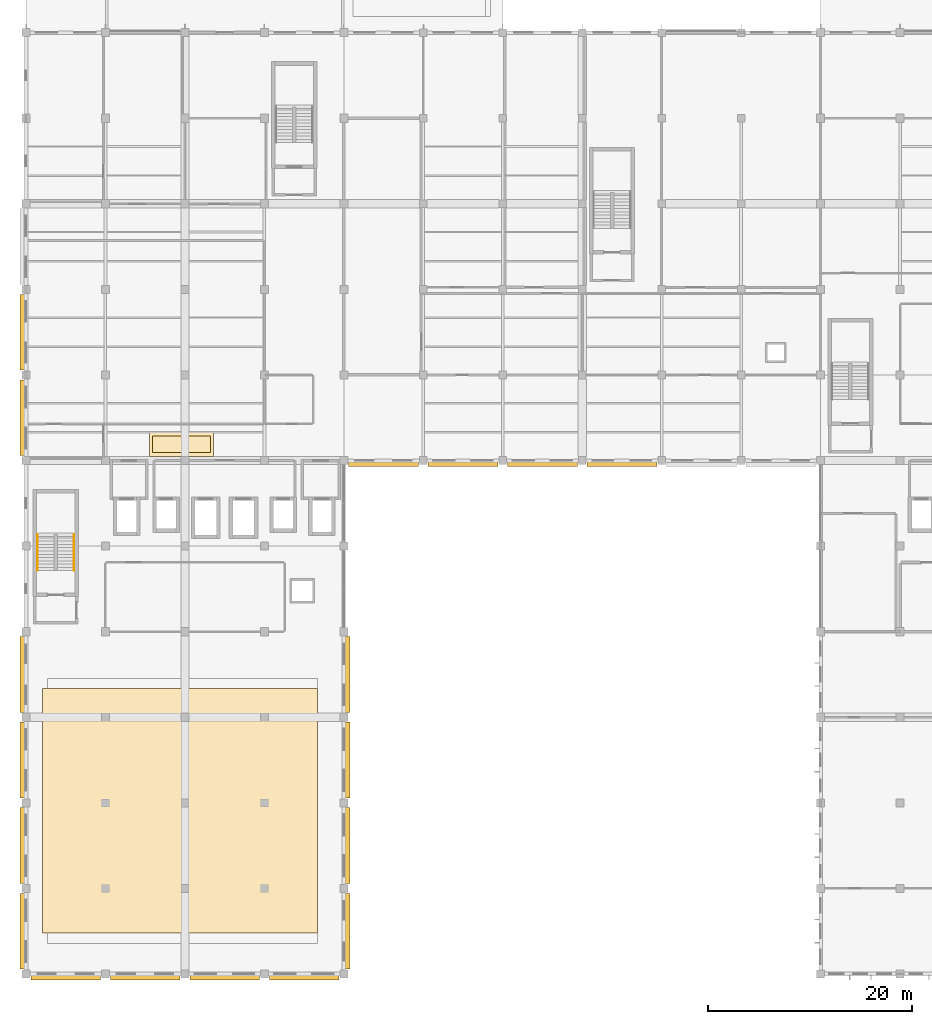
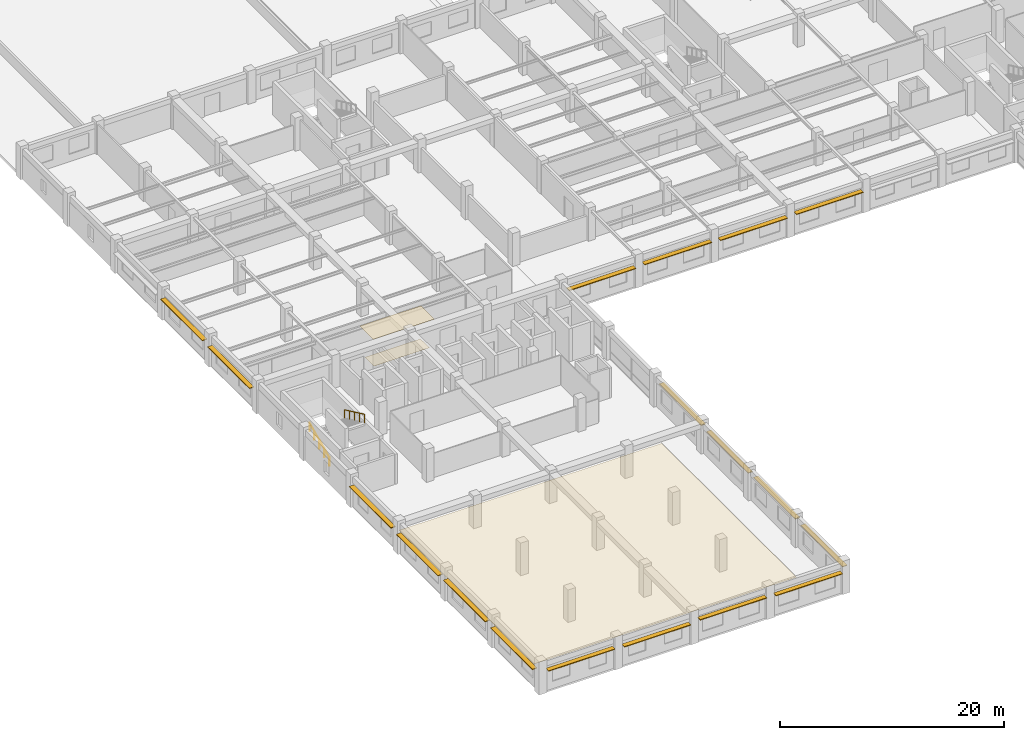
# One storey, part 48 of 50: 18 shading devices, 3 coverings, 2 railings.
"""IFC4 building model written with IfcOpenShell, lengths in metres."""

import ifcopenshell
import ifcopenshell.guid

model = None  # the IFC model being written
_history = None  # IfcOwnerHistory: only IFC2X3 demands one
_inside = {}  # id of a spatial element -> (the spatial element, [elements in it])
_under = {}  # id of a project, library or spatial element -> (it, [spatial elements below it])
_declared = {}  # id of a project -> (the project, [libraries it declares])
_typed = {}  # id of a type object -> (the type object, [elements of that type])
_made_of = {}  # id of a material, layer set ... -> (it, [elements and type objects made of it])


def new_model(schema):
    """Start an empty IFC model of exactly this schema.

    Asked for "IFC4X3", IfcOpenShell would pick the latest addendum, in which some entities
    have other attributes; the version numbers below select the first issue.
    IFC2X3 requires an IfcOwnerHistory on every rooted entity: one is made here for all.
    """
    global model, _history
    if schema == "IFC4X3":
        model = ifcopenshell.file(schema_version=(4, 3, 0, 0))
    else:
        model = ifcopenshell.file(schema=schema)
    _inside.clear()
    _under.clear()
    _declared.clear()
    _typed.clear()
    _made_of.clear()
    _history = None
    if model.schema == "IFC2X3":
        org = make("IfcOrganization", Name="unknown")
        user = make(
            "IfcPersonAndOrganization",
            ThePerson=make("IfcPerson", FamilyName="unknown"),
            TheOrganization=org,
        )
        app = make(
            "IfcApplication",
            ApplicationDeveloper=org,
            Version="unknown",
            ApplicationFullName="unknown",
            ApplicationIdentifier="unknown",
        )
        _history = make(
            "IfcOwnerHistory",
            OwningUser=user,
            OwningApplication=app,
            ChangeAction="ADDED",
            CreationDate=0,
        )
    return model


def make(cls, **values):
    """One entity of the class cls with the attributes given. An attribute that is None is left unset."""
    return model.create_entity(
        cls, **{name: value for name, value in values.items() if value is not None}
    )


def rooted(cls, **values):
    """An entity with a GlobalId (a new one), such as an element, a storey or a relation."""
    return make(cls, GlobalId=ifcopenshell.guid.new(), OwnerHistory=_history, **values)


def si_unit(unit_type, name, prefix=None):
    """IfcSIUnit, for example si_unit("LENGTHUNIT", "METRE", prefix="MILLI")."""
    return make("IfcSIUnit", UnitType=unit_type, Prefix=prefix, Name=name)


def assignment(units):
    """IfcUnitAssignment: the units of a project."""
    return None if units is None else make("IfcUnitAssignment", Units=units)


def point(xyz):
    """IfcCartesianPoint."""
    return None if xyz is None else make("IfcCartesianPoint", Coordinates=xyz)


def direction(xyz):
    """IfcDirection."""
    return None if xyz is None else make("IfcDirection", DirectionRatios=xyz)


def frame(location, z_axis=None, x_axis=None):
    """IfcAxis2Placement3D, a coordinate frame: its origin and axes. An axis left out is left unset."""
    return make(
        "IfcAxis2Placement3D",
        Location=point(location),
        Axis=direction(z_axis),
        RefDirection=direction(x_axis),
    )


def frame_2d(location, x_axis=None):
    """IfcAxis2Placement2D, a coordinate frame in the plane: its origin and x axis."""
    return make(
        "IfcAxis2Placement2D", Location=point(location), RefDirection=direction(x_axis)
    )


def origin():
    """The frame at (0, 0, 0) with its axes left unset."""
    return frame((0.0, 0.0, 0.0))


def origin_2d():
    """The frame at (0, 0) in the plane with its x axis left unset."""
    return frame_2d((0.0, 0.0))


def place(relative_to, where):
    """IfcLocalPlacement: puts the frame where relative to a parent placement (None: the world)."""
    return make(
        "IfcLocalPlacement", PlacementRelTo=relative_to, RelativePlacement=where
    )


def context(
    kind, dimensions, precision=None, world=None, true_north=None, identifier=None
):
    """IfcGeometricRepresentationContext, for example the 3D "Model" context."""
    return make(
        "IfcGeometricRepresentationContext",
        ContextIdentifier=identifier,
        ContextType=kind,
        CoordinateSpaceDimension=dimensions,
        Precision=precision,
        WorldCoordinateSystem=world,
        TrueNorth=true_north,
    )


def subcontext(parent, identifier, kind, view, scale=None):
    """IfcGeometricRepresentationSubContext, for example "Body" below "Model"."""
    return make(
        "IfcGeometricRepresentationSubContext",
        ContextIdentifier=identifier,
        ContextType=kind,
        ParentContext=parent,
        TargetScale=scale,
        TargetView=view,
    )


def project(units=None, contexts=None):
    """IfcProject with its units and contexts."""
    return rooted(
        "IfcProject",
        Name="project",
        RepresentationContexts=contexts,
        UnitsInContext=assignment(units),
    )


def spatial(cls, under=None, at=None, **own):
    """A site, building, storey or space (cls), placed at a placement, below another one or the project."""
    s = rooted(cls, ObjectPlacement=at, **own)
    if under is not None:
        _under.setdefault(under.id(), (under, []))[1].append(s)
    return s


def polyline(points):
    """IfcPolyline through the points."""
    return make("IfcPolyline", Points=[point(p) for p in points])


def profile(cls, at=None, kind="AREA", **sizes):
    """A parametric profile (cls). Its sizes go by their IFC names, for example OverallWidth=200.0."""
    return make(cls, ProfileType=kind, Position=at, **sizes)


def rectangle(**sizes):
    """IfcRectangleProfileDef."""
    return profile("IfcRectangleProfileDef", **sizes)


def circle(**sizes):
    """IfcCircleProfileDef."""
    return profile("IfcCircleProfileDef", **sizes)


def outline(outer, holes=None, kind="AREA"):
    """IfcArbitraryClosedProfileDef: a profile drawn as a closed curve; with holes, ...WithVoids."""
    if holes is None:
        return make("IfcArbitraryClosedProfileDef", ProfileType=kind, OuterCurve=outer)
    return make(
        "IfcArbitraryProfileDefWithVoids",
        ProfileType=kind,
        OuterCurve=outer,
        InnerCurves=holes,
    )


def extrude(swept, where, along, depth):
    """IfcExtrudedAreaSolid: the profile swept, set in the frame where, extruded along a direction by depth."""
    return make(
        "IfcExtrudedAreaSolid",
        SweptArea=swept,
        Position=where,
        ExtrudedDirection=direction(along),
        Depth=depth,
    )


def shape(context_of_items, identifier, shape_type, items):
    """IfcShapeRepresentation: the items that make up one representation, for example the "Body"."""
    return make(
        "IfcShapeRepresentation",
        ContextOfItems=context_of_items,
        RepresentationIdentifier=identifier,
        RepresentationType=shape_type,
        Items=items,
    )


def material(Name=None, Category=None):
    """IfcMaterial."""
    return make("IfcMaterial", Name=Name, Category=Category)


def layer(
    of_material, thickness, ventilated=None, Name=None, Category=None, Priority=None
):
    """IfcMaterialLayer: one layer of a wall or slab, of a material (None: an air gap)."""
    return make(
        "IfcMaterialLayer",
        Material=of_material,
        LayerThickness=thickness,
        IsVentilated=ventilated,
        Name=Name,
        Category=Category,
        Priority=Priority,
    )


def layer_set(layers, Name=None):
    """IfcMaterialLayerSet."""
    return make("IfcMaterialLayerSet", MaterialLayers=layers, LayerSetName=Name)


def made_of(thing, what):
    """Note that an element or type object is made of a material, layer set ...; save() writes the relation."""
    if what is not None:
        _made_of.setdefault(what.id(), (what, []))[1].append(thing)
    return thing


def type_object(cls, material=None, **own):
    """A type object (cls), such as IfcWallType, which elements share."""
    return made_of(rooted(cls, **own), material)


def element(
    cls,
    number,
    at=None,
    inside=None,
    cuts=None,
    type_object=None,
    material=None,
    context=None,
    identifier="Body",
    shape_type=None,
    held_by="IfcProductDefinitionShape",
    body=None,
    shapes=None,
    **own,
):
    """One element of the class cls, such as IfcWall. Its Tag is "e" and its number.

    at: its placement. inside: the storey or other place that contains it. cuts: it is an
    opening in that element (IfcRelVoidsElement). A single representation is given by context,
    identifier, shape_type and body (its items); several are given by shapes. held_by: the class
    of the entity that holds the representations. save() writes the other relations.
    """
    e = rooted(cls, Tag="e%d" % number, ObjectPlacement=at, **own)
    if body is not None:
        shapes = [shape(context, identifier, shape_type, body)]
    if shapes is not None:
        e.Representation = make(held_by, Representations=shapes)
    if inside is not None:
        _inside.setdefault(inside.id(), (inside, []))[1].append(e)
    if cuts is not None:
        rooted(
            "IfcRelVoidsElement", RelatingBuildingElement=cuts, RelatedOpeningElement=e
        )
    if type_object is not None:
        _typed.setdefault(type_object.id(), (type_object, []))[1].append(e)
    return made_of(e, material)


def aggregate(whole, parts):
    """IfcRelAggregates: a whole, such as a stair, and the parts it consists of."""
    return rooted("IfcRelAggregates", RelatingObject=whole, RelatedObjects=parts)


def save(model, path):
    """Write the relations noted so far, then the file.

    IfcRelAggregates (storeys below a building ...), IfcRelContainedInSpatialStructure (elements
    in a storey), IfcRelDefinesByType, IfcRelAssociatesMaterial and IfcRelDeclares: one each for
    every whole, place, type object, material and project.
    """
    for whole, parts in _under.values():
        aggregate(whole, parts)
    for where, things in _inside.values():
        rooted(
            "IfcRelContainedInSpatialStructure",
            RelatedElements=things,
            RelatingStructure=where,
        )
    for kind, things in _typed.values():
        rooted("IfcRelDefinesByType", RelatedObjects=things, RelatingType=kind)
    for what, things in _made_of.values():
        rooted("IfcRelAssociatesMaterial", RelatedObjects=things, RelatingMaterial=what)
    for by, libraries in _declared.values():
        rooted("IfcRelDeclares", RelatingContext=by, RelatedDefinitions=libraries)
    model.write(path)


model = new_model("IFC4")

# Units and contexts
model_context = context("Model", 3, precision=1e-05, world=origin(), true_north=direction((0.0, 1.0)))
body_context = subcontext(model_context, "Body", "Model", "MODEL_VIEW")
ifc_project = project(units=[si_unit("LENGTHUNIT", "METRE"), si_unit("AREAUNIT", "SQUARE_METRE"), si_unit("VOLUMEUNIT", "CUBIC_METRE"), si_unit("PLANEANGLEUNIT", "RADIAN"), si_unit("MASSUNIT", "GRAM", prefix="KILO"), si_unit("THERMODYNAMICTEMPERATUREUNIT", "KELVIN"), si_unit("POWERUNIT", "WATT")], contexts=[model_context])

# Site, building, storey
site_placement = place(None, origin())
site = spatial("IfcSite", under=ifc_project, at=site_placement, CompositionType="ELEMENT")
building_placement = place(site_placement, origin())
building = spatial("IfcBuilding", under=site, at=building_placement, Name="Srebrne Nadtorze General Hospital", CompositionType="ELEMENT")
storey_placement = place(building_placement, frame((0.0, 0.0, 14.39990234375)))
storey = spatial("IfcBuildingStorey", under=building, at=storey_placement, Name="L03", CompositionType="ELEMENT", Elevation=14.39990234375)

# Covering
ifc_material_1 = material(Name="Medical Vinyl Flooring")
ifc_layer_1 = layer(ifc_material_1, 0.006103515625)
ifc_layer_set_1 = layer_set([ifc_layer_1], Name="Medical Vinyl Flooring")
covering_type_1 = type_object("IfcCoveringType", Name="Antistatic medical vinyl flooring", PredefinedType="FLOORING", material=ifc_layer_set_1)
covering_1_placement = place(storey_placement, origin())
element("IfcCovering", 1, at=covering_1_placement, inside=storey, type_object=covering_type_1, Name="Medical vinyl flooring L03", PredefinedType="FLOORING", context=body_context, shape_type="SweptSolid", body=[
    extrude(outline(polyline([(35.800048828125, 51.199951171875), (41.5, 51.199951171875), (41.5, 52.800048828125), (35.800048828125, 52.800048828125), (35.800048828125, 51.199951171875)])), origin(), (0.0, 0.0, 1.0), 0.006103515625),
])

# Shading devices
ifc_material_2 = material(Name="Anodised Aluminium", Category="aluminium")
ifc_layer_2 = layer(ifc_material_2, 0.080078125)
ifc_layer_set_2 = layer_set([ifc_layer_2], Name="Anodised Aluminium")
shading_device_type = type_object("IfcShadingDeviceType", Name="Hisashi horizontal aluminium sunshade", PredefinedType="JALOUSIE", material=ifc_layer_set_2)
for number, where, z_axis, x_axis, name in (
    (2, (27.300048828125, -0.35009765625, 2.3701171875), (0.0, 0.0, 1.0), (1.0, 0.0, 0.0), "Hisashi horizontal sunshade eave LV-192"),
    (3, (35.10009765625, -0.35009765625, 2.27001953125), (0.0, 0.0, 1.0), (1.0, 0.0, 0.0), "Hisashi horizontal sunshade eave LV-193"),
    (4, (42.89990234375, -0.35009765625, 2.469970703125), (0.0, 0.0, 1.0), (1.0, 0.0, 0.0), "Hisashi horizontal sunshade eave LV-194"),
    (5, (50.699951171875, -0.35009765625, 2.3701171875), (0.0, 0.0, 1.0), (1.0, 0.0, 0.0), "Hisashi horizontal sunshade eave LV-195"),
):
    element("IfcShadingDevice", number, at=place(storey_placement, frame(where, z_axis=z_axis, x_axis=x_axis)), inside=storey, type_object=shading_device_type, Name=name, PredefinedType="JALOUSIE", context=body_context, shape_type="SweptSolid", body=[
        extrude(rectangle(XDim=6.840087890625, YDim=0.47998046875, at=origin_2d()), origin(), (0.0, 0.0, 1.0), 0.080078125),
    ])
shading_device_placement = place(storey_placement, frame((58.512451171875, 50.0400390625, 2.27001953125), z_axis=(0.0, 0.0, 1.0), x_axis=(1.0, 0.0, 0.0)))
element("IfcShadingDevice", 6, at=shading_device_placement, inside=storey, type_object=shading_device_type, Name="Hisashi horizontal sunshade eave LV-208", PredefinedType="JALOUSIE", context=body_context, shape_type="SweptSolid", body=[
    extrude(rectangle(XDim=6.864990234375, YDim=0.47998046875, at=origin_2d()), origin(), (0.0, 0.0, 1.0), 0.080078125),
])
for number, where, z_axis, x_axis, name in (
    (7, (66.300048828125, 50.0400390625, 2.3701171875), (0.0, 0.0, 1.0), (1.0, 0.0, 0.0), "Hisashi horizontal sunshade eave LV-209"),
    (8, (74.10009765625, 50.0400390625, 2.27001953125), (0.0, 0.0, 1.0), (1.0, 0.0, 0.0), "Hisashi horizontal sunshade eave LV-210"),
    (9, (81.89990234375, 50.0400390625, 2.3701171875), (0.0, 0.0, 1.0), (1.0, 0.0, 0.0), "Hisashi horizontal sunshade eave LV-211"),
):
    element("IfcShadingDevice", number, at=place(storey_placement, frame(where, z_axis=z_axis, x_axis=x_axis)), inside=storey, type_object=shading_device_type, Name=name, PredefinedType="JALOUSIE", context=body_context, shape_type="SweptSolid", body=[
        extrude(rectangle(XDim=6.889892578125, YDim=0.47998046875, at=origin_2d()), origin(), (0.0, 0.0, 1.0), 0.080078125),
    ])
for number, where, z_axis, x_axis, name in (
    (10, (23.050048828125, 4.199951171875, 2.27001953125), (0.0, 0.0, 1.0), (1.0, 0.0, 0.0), "Hisashi horizontal sunshade eave LV-217"),
    (11, (23.050048828125, 12.60009765625, 2.3701171875), (0.0, 0.0, 1.0), (1.0, 0.0, 0.0), "Hisashi horizontal sunshade eave LV-218"),
    (12, (23.050048828125, 21.0, 2.27001953125), (0.0, 0.0, 1.0), (1.0, 0.0, 0.0), "Hisashi horizontal sunshade eave LV-219"),
    (13, (23.050048828125, 29.39990234375, 2.3701171875), (0.0, 0.0, 1.0), (1.0, 0.0, 0.0), "Hisashi horizontal sunshade eave LV-220"),
    (14, (23.050048828125, 54.60009765625, 2.27001953125), (0.0, 0.0, 1.0), (1.0, 0.0, 0.0), "Hisashi horizontal sunshade eave LV-221"),
    (15, (23.050048828125, 63.0, 2.3701171875), (0.0, 0.0, 1.0), (1.0, 0.0, 0.0), "Hisashi horizontal sunshade eave LV-222"),
    (16, (54.949951171875, 4.199951171875, 2.27001953125), (0.0, 0.0, 1.0), (1.0, 0.0, 0.0), "Hisashi horizontal sunshade eave LV-224"),
    (17, (54.949951171875, 12.60009765625, 2.3701171875), (0.0, 0.0, 1.0), (1.0, 0.0, 0.0), "Hisashi horizontal sunshade eave LV-225"),
    (18, (54.949951171875, 21.0, 2.27001953125), (0.0, 0.0, 1.0), (1.0, 0.0, 0.0), "Hisashi horizontal sunshade eave LV-226"),
    (19, (54.949951171875, 29.39990234375, 2.3701171875), (0.0, 0.0, 1.0), (1.0, 0.0, 0.0), "Hisashi horizontal sunshade eave LV-227"),
):
    element("IfcShadingDevice", number, at=place(storey_placement, frame(where, z_axis=z_axis, x_axis=x_axis)), inside=storey, type_object=shading_device_type, Name=name, PredefinedType="JALOUSIE", context=body_context, shape_type="SweptSolid", body=[
        extrude(rectangle(XDim=0.47998046875, YDim=7.43994140625, at=origin_2d()), origin(), (0.0, 0.0, 1.0), 0.080078125),
    ])

# Coverings
ifc_material_3 = material(Name="Acoustic Mineral Ceiling")
ifc_layer_3 = layer(ifc_material_3, 0.014892578125)
ifc_layer_set_3 = layer_set([ifc_layer_3], Name="Acoustic Mineral Ceiling")
covering_type_2 = type_object("IfcCoveringType", Name="Hygienic acoustic ceiling tile", PredefinedType="CEILING", material=ifc_layer_set_3)
covering_2_placement = place(storey_placement, frame((0.0, 0.0, 3.255126953125)))
element("IfcCovering", 20, at=covering_2_placement, inside=storey, type_object=covering_type_2, Name="Acoustic ceiling L03", PredefinedType="CEILING", context=body_context, shape_type="SweptSolid", body=[
    extrude(outline(polyline([(35.5, 50.800048828125), (41.800048828125, 50.800048828125), (41.800048828125, 53.199951171875), (35.5, 53.199951171875), (35.5, 50.800048828125)])), origin(), (0.0, 0.0, 1.0), 0.014892578125),
])
ifc_material_4 = material(Name="EPDM Waterproofing Membrane")
ifc_layer_4 = layer(ifc_material_4, 0.011962890625)
ifc_layer_set_4 = layer_set([ifc_layer_4], Name="EPDM Waterproofing Membrane")
covering_type_3 = type_object("IfcCoveringType", Name="Inverted EPDM waterproof roof membrane", PredefinedType="ROOFING", material=ifc_layer_set_4)
covering_3_placement = place(storey_placement, origin())
element("IfcCovering", 21, at=covering_3_placement, inside=storey, type_object=covering_type_3, Name="Roof membrane covering CV-ROOF-WS-1", PredefinedType="ROOFING", context=body_context, shape_type="SweptSolid", body=[
    extrude(outline(polyline([(25.0, 4.0), (52.0, 4.0), (52.0, 28.0), (25.0, 28.0), (25.0, 4.0)])), origin(), (0.0, 0.0, 1.0), 0.01220703125),
])

# Railings
ifc_material_5 = material(Name="Stainless Steel 316", Category="steel")
railing_type = type_object("IfcRailingType", Name="Tubular stainless handrail 920", PredefinedType="HANDRAIL", material=ifc_material_5)
railing_1_placement = place(storey_placement, frame((24.530029296875, 39.60009765625, 0.150146484375)))
element("IfcRailing", 22, at=railing_1_placement, inside=storey, type_object=railing_type, Name="Stair flight handrail ST-01-L03 F1", PredefinedType="HANDRAIL", context=body_context, shape_type="SweptSolid", body=[
    extrude(circle(Radius=0.02392578125, at=origin_2d()), frame((0.0, 0.0, 0.89599609375), z_axis=(0.0, 0.905469494748, 0.424411350084), x_axis=(-1.0, 0.0, 0.0)), (0.0, 0.0, 1.0), 3.887451171875),
    extrude(circle(Radius=0.02099609375, at=origin_2d()), origin(), (0.0, 0.0, 1.0), 0.871826171875),
    extrude(circle(Radius=0.02099609375, at=origin_2d()), frame((0.0, 0.8798828125, 0.41259765625)), (0.0, 0.0, 1.0), 0.871826171875),
    extrude(circle(Radius=0.02099609375, at=origin_2d()), frame((0.0, 1.760009765625, 0.824951171875)), (0.0, 0.0, 1.0), 0.871826171875),
    extrude(circle(Radius=0.02099609375, at=origin_2d()), frame((0.0, 2.64013671875, 1.2373046875)), (0.0, 0.0, 1.0), 0.871826171875),
    extrude(circle(Radius=0.02099609375, at=origin_2d()), frame((0.0, 3.52001953125, 1.64990234375)), (0.0, 0.0, 1.0), 0.871826171875),
])
railing_2_placement = place(storey_placement, frame((28.1201171875, 43.1201171875, 1.9501953125)))
element("IfcRailing", 23, at=railing_2_placement, inside=storey, type_object=railing_type, Name="Stair flight handrail ST-01-L03 F2", PredefinedType="HANDRAIL", context=body_context, shape_type="SweptSolid", body=[
    extrude(circle(Radius=0.02392578125, at=origin_2d()), frame((0.0, 0.0, 0.89599609375), z_axis=(0.0, -0.905469494748, 0.424411350084), x_axis=(1.0, 0.0, 0.0)), (0.0, 0.0, 1.0), 3.887451171875),
    extrude(circle(Radius=0.02099609375, at=origin_2d()), origin(), (0.0, 0.0, 1.0), 0.871826171875),
    extrude(circle(Radius=0.02099609375, at=origin_2d()), frame((0.0, -0.8798828125, 0.41259765625)), (0.0, 0.0, 1.0), 0.871826171875),
    extrude(circle(Radius=0.02099609375, at=origin_2d()), frame((0.0, -1.760009765625, 0.824951171875)), (0.0, 0.0, 1.0), 0.871826171875),
    extrude(circle(Radius=0.02099609375, at=origin_2d()), frame((0.0, -2.64013671875, 1.2373046875)), (0.0, 0.0, 1.0), 0.871826171875),
    extrude(circle(Radius=0.02099609375, at=origin_2d()), frame((0.0, -3.52001953125, 1.64990234375)), (0.0, 0.0, 1.0), 0.871826171875),
])

save(model, "model.ifc")
